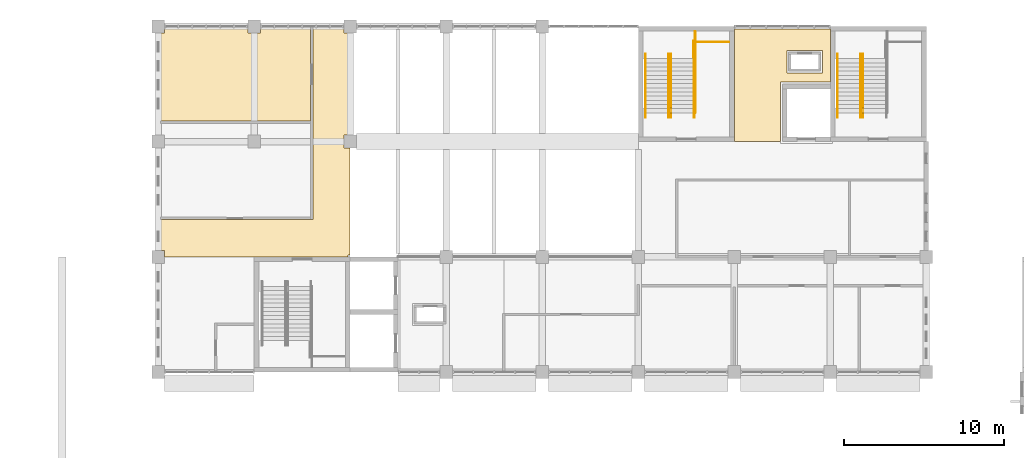
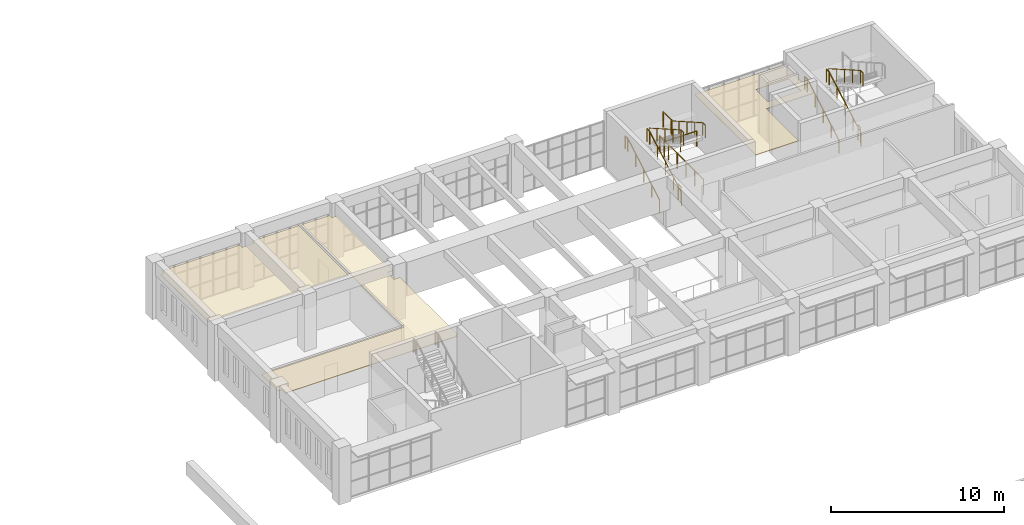
# One storey, part 46 of 47: 12 railings, 3 coverings.
"""IFC4 building model written with IfcOpenShell, lengths in metres."""

from ifc_helpers import new_model, si_unit, direction, frame, origin, origin_2d, place, context, subcontext, project, spatial, polyline, circle, outline, extrude, material, layer, layer_set, type_object, element, save


model = new_model("IFC4")

# Units and contexts
model_context = context("Model", 3, precision=1e-05, world=origin(), true_north=direction((0.0, 1.0)))
body_context = subcontext(model_context, "Body", "Model", "MODEL_VIEW")
ifc_project = project(units=[si_unit("LENGTHUNIT", "METRE"), si_unit("AREAUNIT", "SQUARE_METRE"), si_unit("VOLUMEUNIT", "CUBIC_METRE"), si_unit("PLANEANGLEUNIT", "RADIAN"), si_unit("MASSUNIT", "GRAM", prefix="KILO")], contexts=[model_context])

# Site, building, storey
site_placement = place(None, origin())
site = spatial("IfcSite", under=ifc_project, at=site_placement, CompositionType="ELEMENT")
building_placement = place(site_placement, origin())
building = spatial("IfcBuilding", under=site, at=building_placement, Name="Laocheng Heights Fire and Rescue Headquarters", CompositionType="ELEMENT")
storey_placement = place(building_placement, frame((0.0, 0.0, 16.800048828125)))
storey = spatial("IfcBuildingStorey", under=building, at=storey_placement, Name="L04", CompositionType="ELEMENT", Elevation=16.800048828125)

# Railings
ifc_material_1 = material(Name="Steel Q355B", Category="steel")
railing_type_1 = type_object("IfcRailingType", Name="STAIR GUARD 1100", PredefinedType="GUARDRAIL", material=ifc_material_1)
for number, where, name in (
    (1, (80.044921875, 66.900146484375, 0.0), "Stair H2 guard L04 well edge"),
    (2, (68.044921875, 66.900146484375, 0.0), "Stair H3 guard L04 well edge"),
):
    element("IfcRailing", number, at=place(storey_placement, frame(where)), inside=storey, type_object=railing_type_1, Name=name, PredefinedType="GUARDRAIL", context=body_context, shape_type="SweptSolid", body=[
        extrude(circle(Radius=0.02392578125, at=origin_2d()), frame((0.0, 0.0, 1.076171875), z_axis=(0.0, -1.0, 0.0), x_axis=(1.0, 0.0, 0.0)), (0.0, 0.0, 1.0), 0.300048828125),
        extrude(circle(Radius=0.02099609375, at=origin_2d()), origin(), (0.0, 0.0, 1.0), 1.052001953125),
        extrude(circle(Radius=0.02099609375, at=origin_2d()), frame((0.0, -0.300048828125, 0.0)), (0.0, 0.0, 1.0), 1.052001953125),
    ])
railing_1_placement = place(storey_placement, frame((69.47509765625, 71.02001953125, 0.0)))
element("IfcRailing", 3, at=railing_1_placement, inside=storey, type_object=railing_type_1, Name="Stair H3 guard L04 tongue edge", PredefinedType="GUARDRAIL", context=body_context, shape_type="SweptSolid", body=[
    extrude(circle(Radius=0.02392578125, at=origin_2d()), frame((0.0, 0.0, 1.076171875), z_axis=(1.0, 0.0, 0.0), x_axis=(0.0, 1.0, 0.0)), (0.0, 0.0, 1.0), 2.1748046875),
    extrude(circle(Radius=0.02099609375, at=origin_2d()), origin(), (0.0, 0.0, 1.0), 1.052001953125),
    extrude(circle(Radius=0.02099609375, at=origin_2d()), frame((1.08740234375, 0.0, 0.0)), (0.0, 0.0, 1.0), 1.052001953125),
    extrude(circle(Radius=0.02099609375, at=origin_2d()), frame((2.1748046875, 0.0, 0.0)), (0.0, 0.0, 1.0), 1.052001953125),
])
railing_2_placement = place(storey_placement, frame((69.554931640625, 71.679931640625, 0.0)))
element("IfcRailing", 4, at=railing_2_placement, inside=storey, type_object=railing_type_1, Name="Stair H3 guard L04 strip edge", PredefinedType="GUARDRAIL", context=body_context, shape_type="SweptSolid", body=[
    extrude(circle(Radius=0.02392578125, at=origin_2d()), frame((0.0, 0.0, 1.076171875), z_axis=(0.0, -1.0, 0.0), x_axis=(1.0, 0.0, 0.0)), (0.0, 0.0, 1.0), 5.079833984375),
    extrude(circle(Radius=0.02099609375, at=origin_2d()), origin(), (0.0, 0.0, 1.0), 1.052001953125),
    extrude(circle(Radius=0.02099609375, at=origin_2d()), frame((0.0, -1.015869140625, 0.0)), (0.0, 0.0, 1.0), 1.052001953125),
    extrude(circle(Radius=0.02099609375, at=origin_2d()), frame((0.0, -2.031982421875, 0.0)), (0.0, 0.0, 1.0), 1.052001953125),
    extrude(circle(Radius=0.02099609375, at=origin_2d()), frame((0.0, -3.0478515625, 0.0)), (0.0, 0.0, 1.0), 1.052001953125),
    extrude(circle(Radius=0.02099609375, at=origin_2d()), frame((0.0, -4.06396484375, 0.0)), (0.0, 0.0, 1.0), 1.052001953125),
    extrude(circle(Radius=0.02099609375, at=origin_2d()), frame((0.0, -5.079833984375, 0.0)), (0.0, 0.0, 1.0), 1.052001953125),
])
railing_3_placement = place(storey_placement, frame((69.445068359375, 71.080078125, 2.099853515625)))
element("IfcRailing", 5, at=railing_3_placement, inside=storey, type_object=railing_type_1, Name="Stair H3 guard L04 half landing", PredefinedType="GUARDRAIL", context=body_context, shape_type="SweptSolid", body=[
    extrude(circle(Radius=0.02392578125, at=origin_2d()), frame((0.0, 0.0, 1.076171875), z_axis=(0.0, -1.0, 0.0), x_axis=(1.0, 0.0, 0.0)), (0.0, 0.0, 1.0), 1.0),
    extrude(circle(Radius=0.02099609375, at=origin_2d()), origin(), (0.0, 0.0, 1.0), 1.052001953125),
    extrude(circle(Radius=0.02099609375, at=origin_2d()), frame((0.0, -1.0, 0.0)), (0.0, 0.0, 1.0), 1.052001953125),
])
ifc_material_2 = material(Name="Steel Q355B", Category="steel")
railing_type_2 = type_object("IfcRailingType", Name="STAIR HANDRAIL 920", PredefinedType="HANDRAIL", material=ifc_material_2)
for number, where, name in (
    (6, (78.445068359375, 66.300048828125, 0.0), "Stair H2 handrail L04 1"),
    (7, (79.905029296875, 66.300048828125, 0.0), "Stair H2 handrail L04 2"),
):
    element("IfcRailing", number, at=place(storey_placement, frame(where)), inside=storey, type_object=railing_type_2, Name=name, PredefinedType="HANDRAIL", context=body_context, shape_type="SweptSolid", body=[
        extrude(circle(Radius=0.02392578125, at=origin_2d()), frame((0.0, 0.0, 0.89599609375), z_axis=(0.0, 0.868544392059, 0.495611379029), x_axis=(-1.0, 0.0, 0.0)), (0.0, 0.0, 1.0), 4.23681640625),
        extrude(circle(Radius=0.02392578125, at=origin_2d()), frame((0.0, 3.679931640625, 2.99560546875), z_axis=(0.0, 1.0, 0.0), x_axis=(-1.0, 0.0, 0.0)), (0.0, 0.0, 1.0), 0.300048828125),
        extrude(circle(Radius=0.02099609375, at=origin_2d()), origin(), (0.0, 0.0, 1.0), 0.871826171875),
        extrude(circle(Radius=0.02099609375, at=origin_2d()), frame((0.0, 0.919921875, 0.52490234375)), (0.0, 0.0, 1.0), 0.871826171875),
        extrude(circle(Radius=0.02099609375, at=origin_2d()), frame((0.0, 1.83984375, 1.0498046875)), (0.0, 0.0, 1.0), 0.871826171875),
        extrude(circle(Radius=0.02099609375, at=origin_2d()), frame((0.0, 2.760009765625, 1.574951171875)), (0.0, 0.0, 1.0), 0.871826171875),
        extrude(circle(Radius=0.02099609375, at=origin_2d()), frame((0.0, 3.679931640625, 2.099853515625)), (0.0, 0.0, 1.0), 0.871826171875),
        extrude(circle(Radius=0.02099609375, at=origin_2d()), frame((0.0, 3.97998046875, 2.099853515625)), (0.0, 0.0, 1.0), 0.871826171875),
    ])
railing_4_placement = place(storey_placement, frame((80.044921875, 70.280029296875, 2.099853515625)))
element("IfcRailing", 8, at=railing_4_placement, inside=storey, type_object=railing_type_2, Name="Stair H2 handrail L04 3", PredefinedType="HANDRAIL", context=body_context, shape_type="SweptSolid", body=[
    extrude(circle(Radius=0.02392578125, at=origin_2d()), frame((0.0, 0.0, 0.89599609375), z_axis=(0.0, -0.868519587458, 0.495654845838), x_axis=(1.0, 0.0, 0.0)), (0.0, 0.0, 1.0), 4.237060546875),
    extrude(circle(Radius=0.02392578125, at=origin_2d()), frame((0.0, -3.679931640625, 2.99609375), z_axis=(0.0, -1.0, 0.0), x_axis=(1.0, 0.0, 0.0)), (0.0, 0.0, 1.0), 0.300048828125),
    extrude(circle(Radius=0.02099609375, at=origin_2d()), origin(), (0.0, 0.0, 1.0), 0.871826171875),
    extrude(circle(Radius=0.02099609375, at=origin_2d()), frame((0.0, -0.919921875, 0.52490234375)), (0.0, 0.0, 1.0), 0.871826171875),
    extrude(circle(Radius=0.02099609375, at=origin_2d()), frame((0.0, -1.83984375, 1.050048828125)), (0.0, 0.0, 1.0), 0.871826171875),
    extrude(circle(Radius=0.02099609375, at=origin_2d()), frame((0.0, -2.760009765625, 1.5751953125)), (0.0, 0.0, 1.0), 0.871826171875),
    extrude(circle(Radius=0.02099609375, at=origin_2d()), frame((0.0, -3.679931640625, 2.10009765625)), (0.0, 0.0, 1.0), 0.871826171875),
    extrude(circle(Radius=0.02099609375, at=origin_2d()), frame((0.0, -3.97998046875, 2.10009765625)), (0.0, 0.0, 1.0), 0.871826171875),
])
for number, where, name in (
    (9, (66.445068359375, 66.300048828125, 0.0), "Stair H3 handrail L04 1"),
    (10, (67.905029296875, 66.300048828125, 0.0), "Stair H3 handrail L04 2"),
):
    element("IfcRailing", number, at=place(storey_placement, frame(where)), inside=storey, type_object=railing_type_2, Name=name, PredefinedType="HANDRAIL", context=body_context, shape_type="SweptSolid", body=[
        extrude(circle(Radius=0.02392578125, at=origin_2d()), frame((0.0, 0.0, 0.89599609375), z_axis=(0.0, 0.868544392059, 0.495611379029), x_axis=(-1.0, 0.0, 0.0)), (0.0, 0.0, 1.0), 4.23681640625),
        extrude(circle(Radius=0.02392578125, at=origin_2d()), frame((0.0, 3.679931640625, 2.99560546875), z_axis=(0.0, 1.0, 0.0), x_axis=(-1.0, 0.0, 0.0)), (0.0, 0.0, 1.0), 0.300048828125),
        extrude(circle(Radius=0.02099609375, at=origin_2d()), origin(), (0.0, 0.0, 1.0), 0.871826171875),
        extrude(circle(Radius=0.02099609375, at=origin_2d()), frame((0.0, 0.919921875, 0.52490234375)), (0.0, 0.0, 1.0), 0.871826171875),
        extrude(circle(Radius=0.02099609375, at=origin_2d()), frame((0.0, 1.83984375, 1.0498046875)), (0.0, 0.0, 1.0), 0.871826171875),
        extrude(circle(Radius=0.02099609375, at=origin_2d()), frame((0.0, 2.760009765625, 1.574951171875)), (0.0, 0.0, 1.0), 0.871826171875),
        extrude(circle(Radius=0.02099609375, at=origin_2d()), frame((0.0, 3.679931640625, 2.099853515625)), (0.0, 0.0, 1.0), 0.871826171875),
        extrude(circle(Radius=0.02099609375, at=origin_2d()), frame((0.0, 3.97998046875, 2.099853515625)), (0.0, 0.0, 1.0), 0.871826171875),
    ])
for number, where, name in (
    (11, (68.044921875, 70.280029296875, 2.099853515625), "Stair H3 handrail L04 3"),
    (12, (69.5048828125, 70.280029296875, 2.099853515625), "Stair H3 handrail L04 4"),
):
    element("IfcRailing", number, at=place(storey_placement, frame(where)), inside=storey, type_object=railing_type_2, Name=name, PredefinedType="HANDRAIL", context=body_context, shape_type="SweptSolid", body=[
        extrude(circle(Radius=0.02392578125, at=origin_2d()), frame((0.0, 0.0, 0.89599609375), z_axis=(0.0, -0.868519587458, 0.495654845838), x_axis=(1.0, 0.0, 0.0)), (0.0, 0.0, 1.0), 4.237060546875),
        extrude(circle(Radius=0.02392578125, at=origin_2d()), frame((0.0, -3.679931640625, 2.99609375), z_axis=(0.0, -1.0, 0.0), x_axis=(1.0, 0.0, 0.0)), (0.0, 0.0, 1.0), 0.300048828125),
        extrude(circle(Radius=0.02099609375, at=origin_2d()), origin(), (0.0, 0.0, 1.0), 0.871826171875),
        extrude(circle(Radius=0.02099609375, at=origin_2d()), frame((0.0, -0.919921875, 0.52490234375)), (0.0, 0.0, 1.0), 0.871826171875),
        extrude(circle(Radius=0.02099609375, at=origin_2d()), frame((0.0, -1.83984375, 1.050048828125)), (0.0, 0.0, 1.0), 0.871826171875),
        extrude(circle(Radius=0.02099609375, at=origin_2d()), frame((0.0, -2.760009765625, 1.5751953125)), (0.0, 0.0, 1.0), 0.871826171875),
        extrude(circle(Radius=0.02099609375, at=origin_2d()), frame((0.0, -3.679931640625, 2.10009765625)), (0.0, 0.0, 1.0), 0.871826171875),
        extrude(circle(Radius=0.02099609375, at=origin_2d()), frame((0.0, -3.97998046875, 2.10009765625)), (0.0, 0.0, 1.0), 0.871826171875),
    ])

# Coverings
ifc_material_3 = material(Name="Mineral fibre ceiling tile")
ifc_layer = layer(ifc_material_3, 0.0400390625)
ifc_layer_set = layer_set([ifc_layer], Name="Mineral fibre ceiling tile")
covering_type = type_object("IfcCoveringType", Name="SUSPENDED CEILING MINERAL FIBRE TILE HQ WING", PredefinedType="CEILING", material=ifc_layer_set)
covering_1_placement = place(storey_placement, frame((0.0, 0.0, 3.0)))
element("IfcCovering", 13, at=covering_1_placement, inside=storey, type_object=covering_type, Name="Circulation West ceiling", PredefinedType="CEILING", context=body_context, shape_type="SweptSolid", body=[
    extrude(outline(polyline([(36.14990234375, 59.925048828125), (45.52490234375, 59.925048828125), (45.675048828125, 59.925048828125), (45.675048828125, 71.85009765625), (47.60009765625, 71.85009765625), (47.60009765625, 71.60009765625), (48.0, 71.60009765625), (48.0, 65.199951171875), (47.60009765625, 65.199951171875), (47.60009765625, 64.39990234375), (48.0, 64.39990234375), (48.0, 60.0), (48.0, 57.72509765625), (47.875, 57.72509765625), (47.875, 57.60009765625), (36.39990234375, 57.60009765625), (36.39990234375, 58.0), (36.14990234375, 58.0), (36.14990234375, 59.925048828125)])), origin(), (0.0, 0.0, 1.0), 0.0400390625),
])
covering_2_placement = place(storey_placement, frame((0.0, 0.0, 3.0)))
element("IfcCovering", 14, at=covering_2_placement, inside=storey, type_object=covering_type, Name="Fire Investigation Laboratory ceiling", PredefinedType="CEILING", context=body_context, shape_type="SweptSolid", body=[
    extrude(outline(polyline([(41.60009765625, 71.85009765625), (41.60009765625, 71.60009765625), (42.39990234375, 71.60009765625), (42.39990234375, 71.85009765625), (45.52490234375, 71.85009765625), (45.52490234375, 66.074951171875), (36.14990234375, 66.074951171875), (36.14990234375, 71.60009765625), (36.39990234375, 71.60009765625), (36.39990234375, 71.85009765625), (41.60009765625, 71.85009765625)])), origin(), (0.0, 0.0, 1.0), 0.0400390625),
])
covering_3_placement = place(storey_placement, frame((0.0, 0.0, 3.0)))
element("IfcCovering", 15, at=covering_3_placement, inside=storey, type_object=covering_type, Name="Riser Lobby ceiling", PredefinedType="CEILING", context=body_context, shape_type="SweptSolid", body=[
    extrude(outline(polyline([(72.0, 71.85009765625), (78.0, 71.85009765625), (78.0, 68.52490234375), (77.875, 68.52490234375), (75.125, 68.52490234375), (74.875, 68.52490234375), (74.875, 68.27490234375), (74.875, 64.925048828125), (74.875, 64.800048828125), (72.0, 64.800048828125), (72.0, 71.85009765625)]), holes=[polyline([(75.300048828125, 69.10009765625), (75.5, 69.10009765625), (77.300048828125, 69.10009765625), (77.5, 69.10009765625), (77.5, 69.300048828125), (77.5, 70.300048828125), (77.5, 70.5), (77.300048828125, 70.5), (75.5, 70.5), (75.300048828125, 70.5), (75.300048828125, 70.300048828125), (75.300048828125, 69.300048828125), (75.300048828125, 69.10009765625)])]), origin(), (0.0, 0.0, 1.0), 0.0400390625),
])

save(model, "model.ifc")
